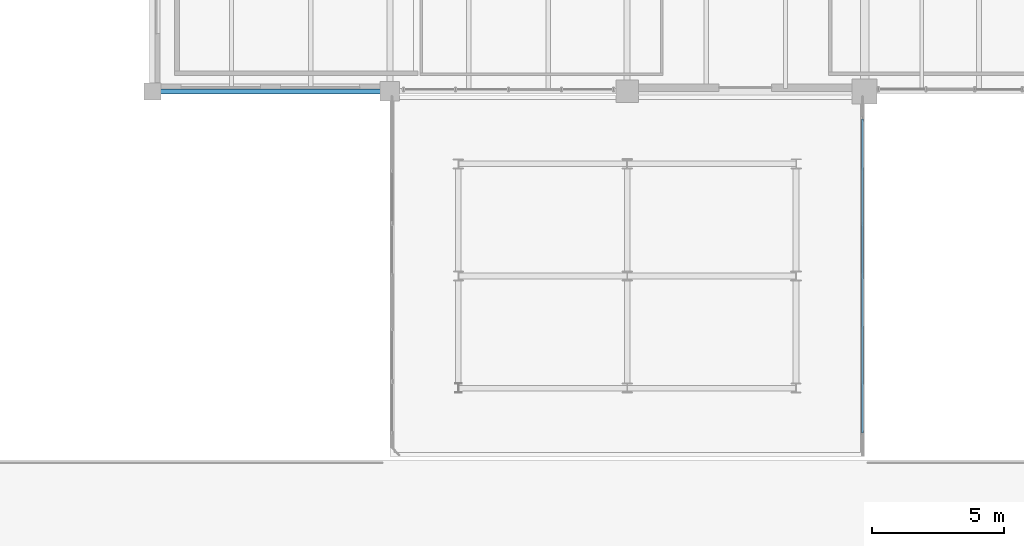
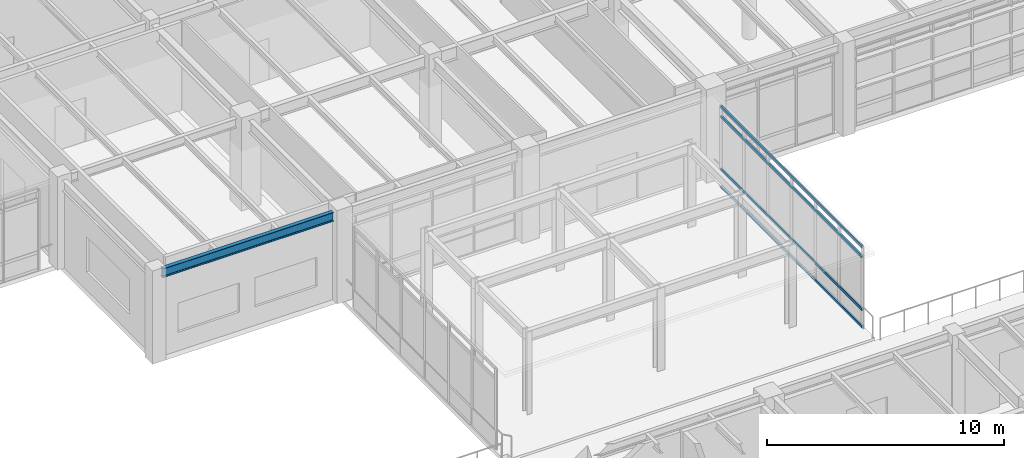
# One storey, part 86 of 200: 4 members, 1 beam, 1 element without a shape of its own.
"""IFC4 building model written with IfcOpenShell, lengths in metres."""

from ifc_helpers import new_model, si_unit, direction, frame, origin, origin_2d, place, context, subcontext, project, spatial, hollow_rectangle, i_section, extrude, material, material_profile, profile_set, type_object, element, aggregate, save


model = new_model("IFC4")

# Units and contexts
model_context = context("Model", 3, precision=1e-05, world=origin(), true_north=direction((0.0, 1.0)))
body_context = subcontext(model_context, "Body", "Model", "MODEL_VIEW")
ifc_project = project(units=[si_unit("LENGTHUNIT", "METRE"), si_unit("AREAUNIT", "SQUARE_METRE"), si_unit("VOLUMEUNIT", "CUBIC_METRE"), si_unit("PLANEANGLEUNIT", "RADIAN"), si_unit("MASSUNIT", "GRAM", prefix="KILO"), si_unit("THERMODYNAMICTEMPERATUREUNIT", "KELVIN"), si_unit("POWERUNIT", "WATT")], contexts=[model_context])

# Site, building, storey
site_placement = place(None, origin())
site = spatial("IfcSite", under=ifc_project, at=site_placement, CompositionType="ELEMENT")
building_placement = place(site_placement, origin())
building = spatial("IfcBuilding", under=site, at=building_placement, Name="Tepalcoro Natatorium and Aquatics Centre", CompositionType="ELEMENT")
storey_placement = place(building_placement, frame((0.0, 0.0, 5.39990234375)))
storey = spatial("IfcBuildingStorey", under=building, at=storey_placement, Name="L01", CompositionType="ELEMENT", Elevation=5.39990234375)

# Curtain wall, members
ifc_material_1 = material(Name="Bronze-Anodised Extruded Aluminium Alloy EN AW-6063 T6", Category="aluminium")
curtain_wall_type = type_object("IfcCurtainWallType", Name="CW_LINK_150", PredefinedType="USERDEFINED", material=ifc_material_1)
curtain_wall_placement = place(storey_placement, origin())
curtain_wall = element("IfcCurtainWall", 1, at=curtain_wall_placement, inside=storey, type_object=curtain_wall_type, Name="East Court Wellness Arcade Glazed Wall E L01", ObjectType="UNITISED STOREFRONT", PredefinedType="USERDEFINED")
ifc_material_profile_1 = material_profile(ifc_material_1, hollow_rectangle(XDim=0.070068359375, YDim=0.14990234375, WallThickness=0.00390625, at=origin_2d()), Name="AL70X150X4")
ifc_profile_set_1 = profile_set([ifc_material_profile_1], Name="Bronze-Anodised Extruded Aluminium Alloy EN AW-6063 T6")
member_type = type_object("IfcMemberType", Name="CW_TRN_70x150", PredefinedType="USERDEFINED", material=ifc_profile_set_1)
member_1_placement = place(storey_placement, frame((124.919921875, 73.050048828125, 0.050048828125), z_axis=(0.0, 1.0, 0.0), x_axis=(-1.0, 0.0, 0.0)))
member_1 = element("IfcMember", 2, at=member_1_placement, type_object=member_type, Name="CW_LINK_150 Curtain Wall Transom", ObjectType="TRANSOM", PredefinedType="USERDEFINED", context=body_context, shape_type="SweptSolid", body=[
    extrude(hollow_rectangle(XDim=0.070068359375, YDim=0.14990234375, WallThickness=0.00390625, at=origin_2d()), origin(), (0.0, 0.0, 1.0), 11.89990234375),
])
member_2_placement = place(storey_placement, frame((124.919921875, 73.050048828125, 0.9501953125), z_axis=(0.0, 1.0, 0.0), x_axis=(-1.0, 0.0, 0.0)))
member_2 = element("IfcMember", 3, at=member_2_placement, type_object=member_type, Name="CW_LINK_150 Curtain Wall Transom", ObjectType="TRANSOM", PredefinedType="USERDEFINED", context=body_context, shape_type="SweptSolid", body=[
    extrude(hollow_rectangle(XDim=0.070068359375, YDim=0.14990234375, WallThickness=0.00390625, at=origin_2d()), origin(), (0.0, 0.0, 1.0), 11.89990234375),
])
member_3_placement = place(storey_placement, frame((124.919921875, 73.050048828125, 3.650146484375), z_axis=(0.0, 1.0, 0.0), x_axis=(-1.0, 0.0, 0.0)))
member_3 = element("IfcMember", 4, at=member_3_placement, type_object=member_type, Name="CW_LINK_150 Curtain Wall Transom", ObjectType="TRANSOM", PredefinedType="USERDEFINED", context=body_context, shape_type="SweptSolid", body=[
    extrude(hollow_rectangle(XDim=0.070068359375, YDim=0.14990234375, WallThickness=0.00390625, at=origin_2d()), origin(), (0.0, 0.0, 1.0), 11.89990234375),
])
member_4_placement = place(storey_placement, frame((124.919921875, 73.050048828125, 4.150146484375), z_axis=(0.0, 1.0, 0.0), x_axis=(-1.0, 0.0, 0.0)))
member_4 = element("IfcMember", 5, at=member_4_placement, type_object=member_type, Name="CW_LINK_150 Curtain Wall Transom", ObjectType="TRANSOM", PredefinedType="USERDEFINED", context=body_context, shape_type="SweptSolid", body=[
    extrude(hollow_rectangle(XDim=0.070068359375, YDim=0.14990234375, WallThickness=0.00390625, at=origin_2d()), origin(), (0.0, 0.0, 1.0), 11.89990234375),
])
aggregate(curtain_wall, [member_1, member_2, member_3, member_4])

# Beam
ifc_material_2 = material(Name="Steel ASTM A992 Grade 50 (Fy 345 MPa)", Category="steel")
ifc_material_profile_2 = material_profile(ifc_material_2, i_section(OverallWidth=0.19091796875, OverallDepth=0.4599609375, WebThickness=0.010009765625, FlangeThickness=0.01611328125, FilletRadius=0.013916015625, at=origin_2d()), Name="W18X55")
ifc_profile_set_2 = profile_set([ifc_material_profile_2], Name="Steel ASTM A992 Grade 50 (Fy 345 MPa)")
beam_type = type_object("IfcBeamType", Name="SP_W18x55", PredefinedType="SPANDREL", material=ifc_profile_set_2)
beam_placement = place(storey_placement, frame((98.31005859375, 86.0, 4.315185546875), z_axis=(1.0, 0.0, 0.0), x_axis=(0.0, 1.0, 0.0)))
element("IfcBeam", 6, at=beam_placement, inside=storey, type_object=beam_type, Name="V5 L01 Grid Girder X", PredefinedType="SPANDREL", context=body_context, shape_type="SweptSolid", body=[
    extrude(i_section(OverallWidth=0.19091796875, OverallDepth=0.4599609375, WebThickness=0.010009765625, FlangeThickness=0.01611328125, FilletRadius=0.013916015625, at=origin_2d()), origin(), (0.0, 0.0, 1.0), 8.329833984375),
])

save(model, "model.ifc")
